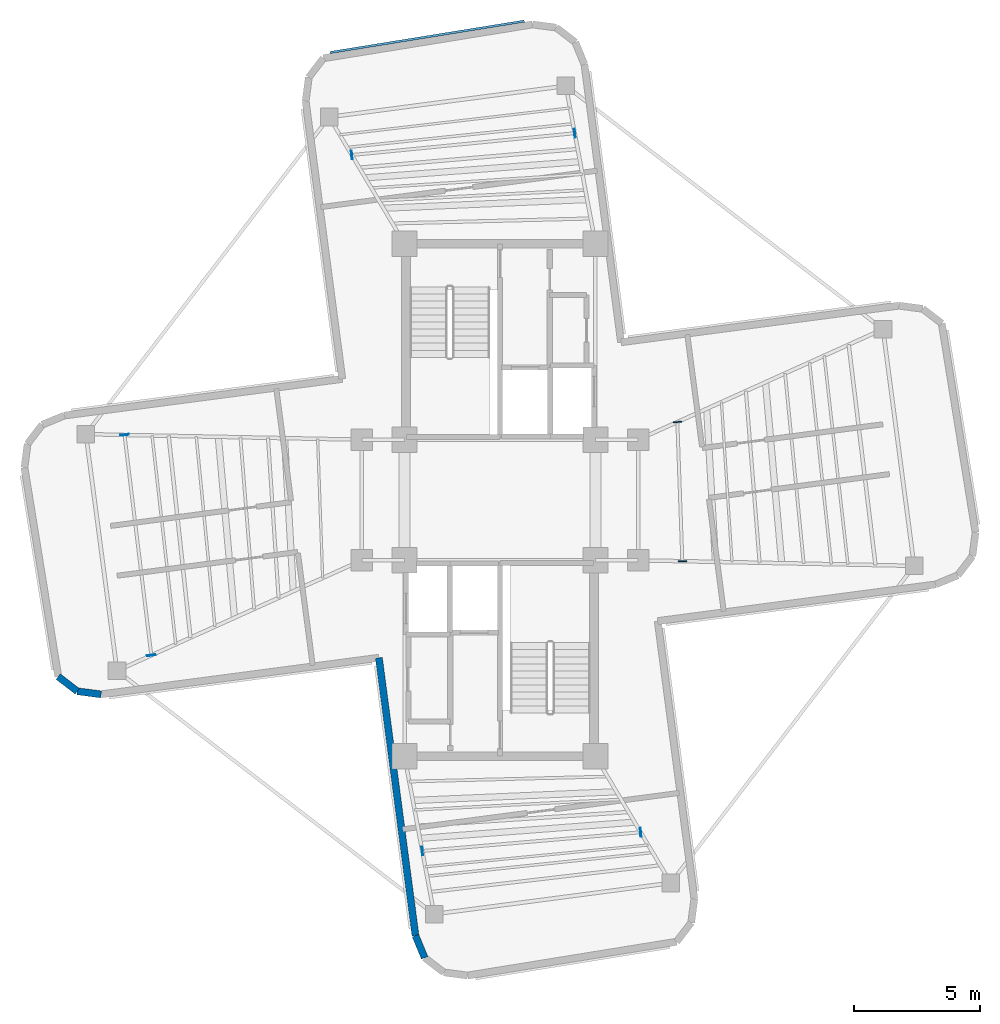
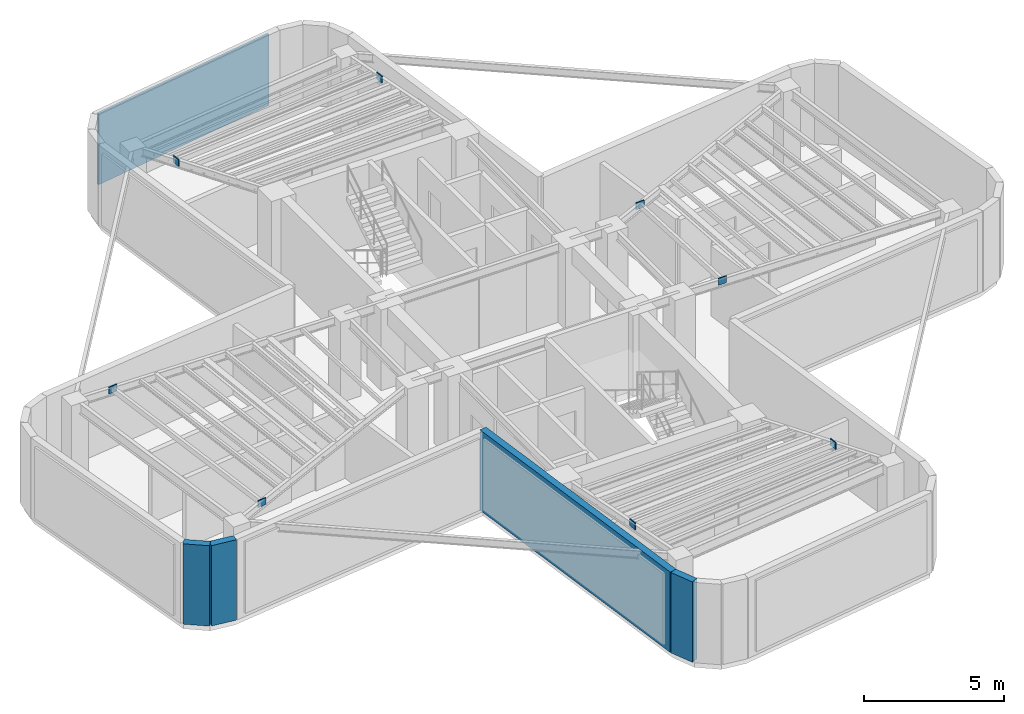
# One storey, part 3 of 6: 9 plates, 4 walls.
"""IFC4 building model written with IfcOpenShell, lengths in metres."""

from ifc_helpers import new_model, si_unit, direction, frame, frame_2d, origin, origin_2d, place, context, subcontext, project, spatial, rectangle, extrude, source, transform, mapped, material, layer, layer_set, type_object, element, save


model = new_model("IFC4")

# Units and contexts
model_context = context("Model", 3, precision=1e-05, world=origin(), true_north=direction((0.0, 1.0)))
body_context = subcontext(model_context, "Body", "Model", "MODEL_VIEW")
ifc_project = project(units=[si_unit("LENGTHUNIT", "METRE"), si_unit("AREAUNIT", "SQUARE_METRE"), si_unit("VOLUMEUNIT", "CUBIC_METRE"), si_unit("PLANEANGLEUNIT", "RADIAN"), si_unit("MASSUNIT", "GRAM", prefix="KILO")], contexts=[model_context])

# Site, building, storey
site_placement = place(None, origin())
site = spatial("IfcSite", under=ifc_project, at=site_placement, CompositionType="ELEMENT")
building_placement = place(site_placement, origin())
building = spatial("IfcBuilding", under=site, at=building_placement, Name="Sahyath Konkavel Grand Hotel", CompositionType="ELEMENT")
storey_placement = place(building_placement, frame((0.0, 0.0, 296.5)))
storey = spatial("IfcBuildingStorey", under=building, at=storey_placement, Name="L82", CompositionType="ELEMENT", Elevation=296.5)

# Plates
ifc_material_1 = material(Name="Steel E450", Category="steel")
plate_type_1 = type_object("IfcPlateType", Name="GUSSET-END-35", PredefinedType="USERDEFINED", material=ifc_material_1)
shared_shape_1 = source(origin(), body_context, "Body", "SweptSolid", [
    extrude(rectangle(XDim=0.0400390625, YDim=0.340087890625, at=origin_2d()), origin(), (0.0, 0.0, 1.0), 0.300048828125),
])
for number, where, z_axis, x_axis, name in (
    (1, (7.25732421875, -2.435302734375, 3.23974609375), (0.0, 0.0, 1.0), (-0.035789058442, 0.999359366442, 0.0), "L82 Sub-Beam E-1 End Cap A"),
    (2, (7.058837890625, 3.103515625, 3.23974609375), (0.0, 0.0, 1.0), (-0.035789058442, 0.999359366442, 0.0), "L82 Sub-Beam E-1 End Cap B"),
    (3, (-14.945556640625, 2.590087890625, 3.23974609375), (0.0, 0.0, 1.0), (0.120673954637, -0.992692196339, 0.0), "L82 Sub-Beam W-6 End Cap A"),
    (4, (-13.879150390625, -6.18212890625, 3.23974609375), (0.0, 0.0, 1.0), (0.120673954637, -0.992692196339, 0.0), "L82 Sub-Beam W-6 End Cap B"),
    (5, (2.974609375, 14.59814453125, 3.23974609375), (0.0, 0.0, 1.0), (-0.995249515222, -0.097357087315, 0.0), "L82 Sub-Beam N-5 End Cap A"),
    (6, (-5.8984375, 13.730224609375, 3.23974609375), (0.0, 0.0, 1.0), (-0.995249515222, -0.097357087315, 0.0), "L82 Sub-Beam N-5 End Cap B"),
    (7, (-3.092529296875, -13.969970703125, 3.23974609375), (0.0, 0.0, 1.0), (0.996355724401, 0.085295195959, 0.0), "L82 Sub-Beam S-4 End Cap A"),
    (8, (5.5986328125, -13.225830078125, 3.23974609375), (0.0, 0.0, 1.0), (0.996355724401, 0.085295195959, 0.0), "L82 Sub-Beam S-4 End Cap B"),
):
    element("IfcPlate", number, at=place(storey_placement, frame(where, z_axis=z_axis, x_axis=x_axis)), inside=storey, type_object=plate_type_1, Name=name, ObjectType="GUSSET_PLATE", PredefinedType="USERDEFINED", context=body_context, shape_type="MappedRepresentation", body=[
        mapped(shared_shape_1, transform((0.0, 0.0, 0.0), scale=1.0)),
    ])
ifc_material_2 = material(Name="Warm Buff Sandstone Perforated Cladding", Category="masonry")
ifc_layer_1 = layer(ifc_material_2, 0.090087890625)
ifc_layer_set_1 = layer_set([ifc_layer_1], Name="Warm Buff Sandstone Perforated Cladding")
plate_type_2 = type_object("IfcPlateType", Name="PNL-CROWN-LOUVRE", PredefinedType="SHEET", material=ifc_layer_set_1)
shared_shape_2 = source(origin(), body_context, "Body", "SweptSolid", [
    extrude(rectangle(XDim=7.8291015625, YDim=0.090087890625, at=origin_2d()), origin(), (0.0, 0.0, 1.0), 3.10009765625),
])
plate_placement = place(storey_placement, frame((-2.89892578125, 18.435302734375, 0.199951171875), z_axis=(0.0, 0.0, 1.0), x_axis=(-0.987178088041, -0.159622750546, 0.0)))
element("IfcPlate", 9, at=plate_placement, inside=storey, type_object=plate_type_2, Name="L82 Crown Perforated Sandstone Louvre Screen 12", PredefinedType="SHEET", context=body_context, shape_type="MappedRepresentation", body=[
    mapped(shared_shape_2, transform((0.0, 0.0, 0.0), scale=1.0)),
])

# Walls
ifc_material_3 = material(Name="Warm Buff Sandstone Insulated Concrete C40/50", Category="masonry")
ifc_layer_2 = layer(ifc_material_3, 0.280029296875)
ifc_layer_set_2 = layer_set([ifc_layer_2], Name="Warm Buff Sandstone Insulated Concrete C40/50")
wall_type = type_object("IfcWallType", Name="WLL-CROWN-CLAD", PredefinedType="SOLIDWALL", material=ifc_layer_set_2)
wall_1_placement = place(storey_placement, frame((-17.5849609375, -7.030517578125, 0.0), z_axis=(0.0, 0.0, 1.0), x_axis=(0.793466811674, -0.60861352168, 0.0)))
element("IfcWall", 10, at=wall_1_placement, inside=storey, type_object=wall_type, Name="L82 Crown Sandstone & Acoustic Louvre Wall 21", PredefinedType="SOLIDWALL", context=body_context, shape_type="SweptSolid", body=[
    extrude(rectangle(XDim=0.95751953125, YDim=0.280029296875, at=frame_2d((0.478759765625, 0.0))), origin(), (0.0, 0.0, 1.0), 3.5),
])
wall_2_placement = place(storey_placement, frame((-16.8251953125, -7.61328125, 0.0), z_axis=(0.0, 0.0, 1.0), x_axis=(0.991444747987, -0.130527053476, 0.0)))
element("IfcWall", 11, at=wall_2_placement, inside=storey, type_object=wall_type, Name="L82 Crown Sandstone & Acoustic Louvre Wall 22", PredefinedType="SOLIDWALL", context=body_context, shape_type="SweptSolid", body=[
    extrude(rectangle(XDim=0.957763671875, YDim=0.280029296875, at=frame_2d((0.47900390625, 0.0))), origin(), (0.0, 0.0, 1.0), 3.5),
])
wall_3_placement = place(storey_placement, frame((-4.821044921875, -6.282958984375, 0.0), z_axis=(0.0, 0.0, 1.0), x_axis=(0.130521347626, -0.991445499165, 0.0)))
element("IfcWall", 12, at=wall_3_placement, inside=storey, type_object=wall_type, Name="L82 Crown Sandstone & Acoustic Louvre Wall 24", PredefinedType="SOLIDWALL", context=body_context, shape_type="SweptSolid", body=[
    extrude(rectangle(XDim=11.150146484375, YDim=0.280029296875, at=frame_2d((5.5751953125, 0.0))), origin(), (0.0, 0.0, 1.0), 3.5),
])
wall_4_placement = place(storey_placement, frame((-3.36572265625, -17.337646484375, 0.0), z_axis=(0.0, 0.0, 1.0), x_axis=(0.382659506909, -0.923889442397, 0.0)))
element("IfcWall", 13, at=wall_4_placement, inside=storey, type_object=wall_type, Name="L82 Crown Sandstone & Acoustic Louvre Wall 25", PredefinedType="SOLIDWALL", context=body_context, shape_type="SweptSolid", body=[
    extrude(rectangle(XDim=0.957763671875, YDim=0.280029296875, at=frame_2d((0.47900390625, 0.0))), origin(), (0.0, 0.0, 1.0), 3.5),
])

save(model, "model.ifc")
